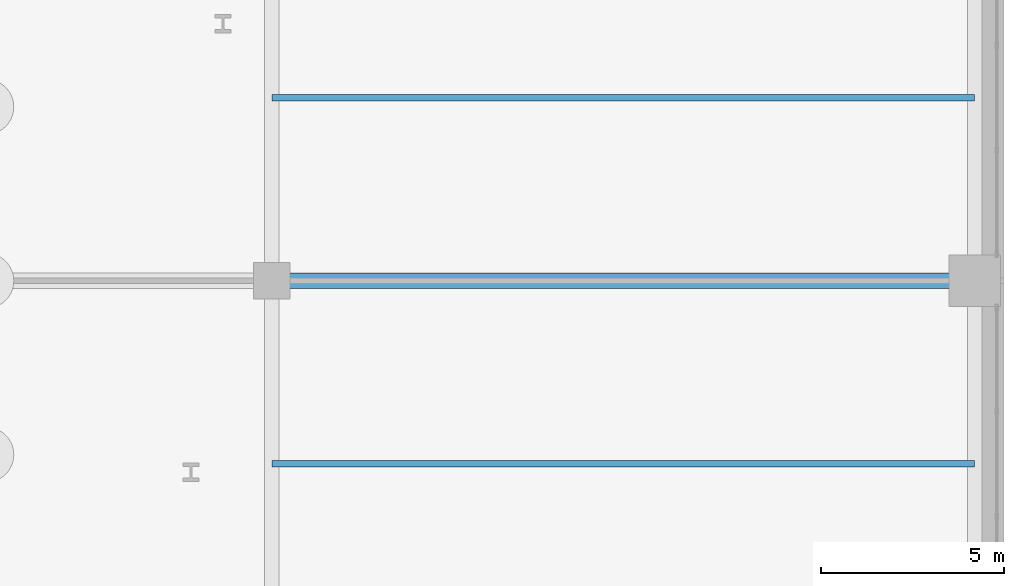
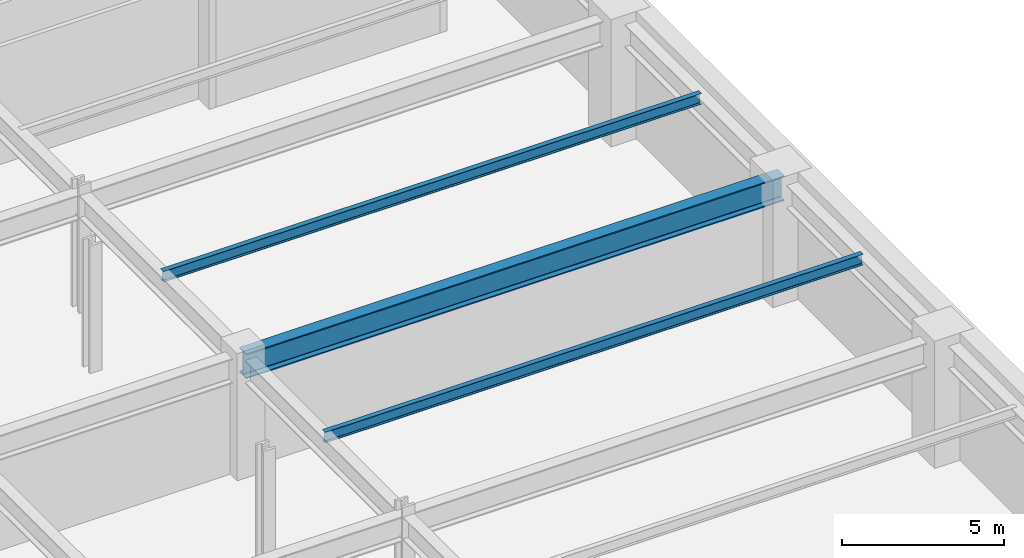
# One storey, part 13 of 25: 3 beams.
"""IFC4 building model written with IfcOpenShell, lengths in metres."""

from ifc_helpers import new_model, si_unit, direction, frame, origin, origin_2d, place, context, subcontext, project, spatial, i_section, extrude, material, material_profile, profile_set, type_object, element, save


model = new_model("IFC4")

# Units and contexts
model_context = context("Model", 3, precision=1e-05, world=origin(), true_north=direction((0.0, 1.0)))
body_context = subcontext(model_context, "Body", "Model", "MODEL_VIEW")
ifc_project = project(units=[si_unit("LENGTHUNIT", "METRE"), si_unit("AREAUNIT", "SQUARE_METRE"), si_unit("VOLUMEUNIT", "CUBIC_METRE"), si_unit("PLANEANGLEUNIT", "RADIAN"), si_unit("MASSUNIT", "GRAM", prefix="KILO")], contexts=[model_context])

# Site, building, storey
site_placement = place(None, origin())
site = spatial("IfcSite", under=ifc_project, at=site_placement, CompositionType="ELEMENT")
building_placement = place(site_placement, origin())
building = spatial("IfcBuilding", under=site, at=building_placement, Name="Soratama Intermodal Tower", CompositionType="ELEMENT")
storey_placement = place(building_placement, frame((0.0, 0.0, -10.199951171875)))
storey = spatial("IfcBuildingStorey", under=building, at=storey_placement, Name="B2", CompositionType="ELEMENT", Elevation=-10.199951171875)

# Beams
ifc_material_1 = material(Name="Structural steel ASTM A992 Grade 50", Category="steel")
ifc_material_profile_1 = material_profile(ifc_material_1, i_section(OverallWidth=0.177978515625, OverallDepth=0.406982421875, WebThickness=0.0078125, FlangeThickness=0.0126953125, FilletRadius=0.010009765625, at=origin_2d()), Name="W16X40")
ifc_profile_set_1 = profile_set([ifc_material_profile_1], Name="Structural steel ASTM A992 Grade 50")
beam_type_1 = type_object("IfcBeamType", Name="BM-JST-W16X40", PredefinedType="JOIST", material=ifc_profile_set_1)
for number, where, z_axis, x_axis, name in (
    (1, (64.0, 20.0, 4.236572265625), (1.0, 0.0, 0.0), (0.0, 1.0, 0.0), "JST-B2-E2"),
    (2, (64.0, 30.0, 4.236572265625), (1.0, 0.0, 0.0), (0.0, 1.0, 0.0), "JST-B2-E3"),
):
    element("IfcBeam", number, at=place(storey_placement, frame(where, z_axis=z_axis, x_axis=x_axis)), inside=storey, type_object=beam_type_1, Name=name, PredefinedType="JOIST", context=body_context, shape_type="SweptSolid", body=[
        extrude(i_section(OverallWidth=0.177978515625, OverallDepth=0.406982421875, WebThickness=0.0078125, FlangeThickness=0.0126953125, FilletRadius=0.010009765625, at=origin_2d()), origin(), (0.0, 0.0, 1.0), 19.199951171875),
    ])
ifc_material_2 = material(Name="Structural steel ASTM A992 Grade 50", Category="steel")
ifc_material_profile_2 = material_profile(ifc_material_2, i_section(OverallWidth=0.423095703125, OverallDepth=0.93896484375, WebThickness=0.02392578125, FlangeThickness=0.042724609375, FilletRadius=0.02392578125, at=origin_2d()), Name="W36X302")
ifc_profile_set_2 = profile_set([ifc_material_profile_2], Name="Structural steel ASTM A992 Grade 50")
beam_type_2 = type_object("IfcBeamType", Name="BM-POD-W36X302", PredefinedType="BEAM", material=ifc_profile_set_2)
beam_placement = place(storey_placement, frame((64.0, 25.0, 3.970458984375), z_axis=(1.0, 0.0, 0.0), x_axis=(0.0, 1.0, 0.0)))
element("IfcBeam", 3, at=beam_placement, inside=storey, type_object=beam_type_2, Name="B2 Station Girder X3-3", PredefinedType="BEAM", context=body_context, shape_type="SweptSolid", body=[
    extrude(i_section(OverallWidth=0.423095703125, OverallDepth=0.93896484375, WebThickness=0.02392578125, FlangeThickness=0.042724609375, FilletRadius=0.02392578125, at=origin_2d()), origin(), (0.0, 0.0, 1.0), 19.199951171875),
])

save(model, "model.ifc")
